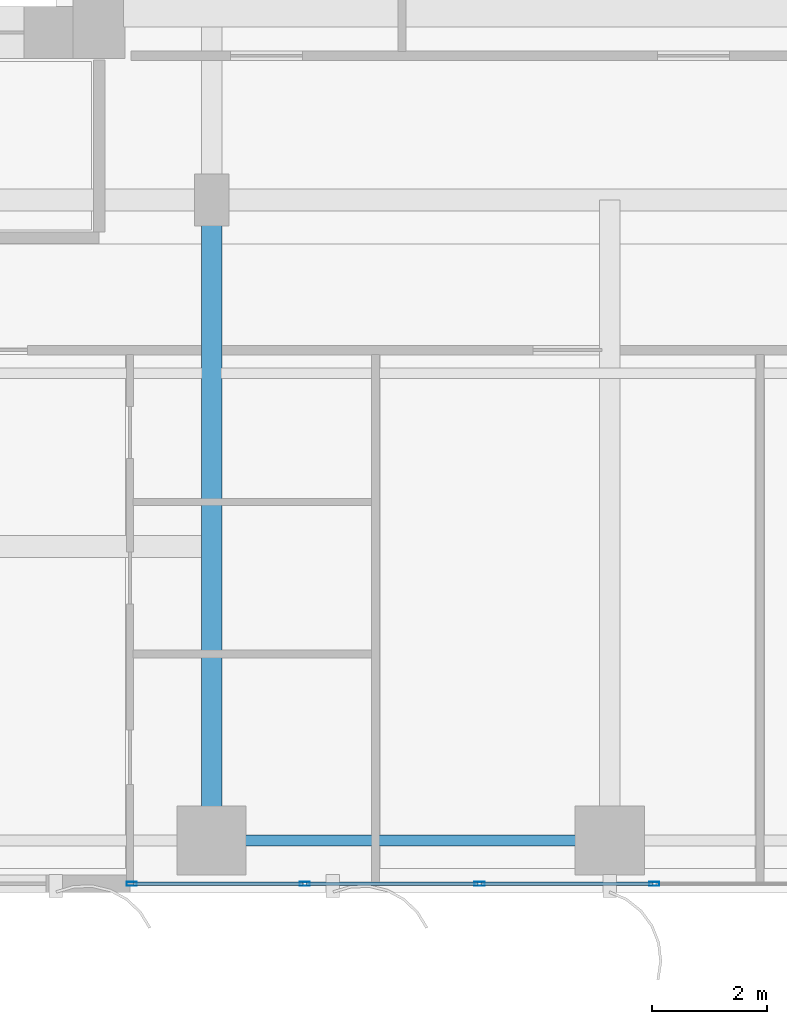
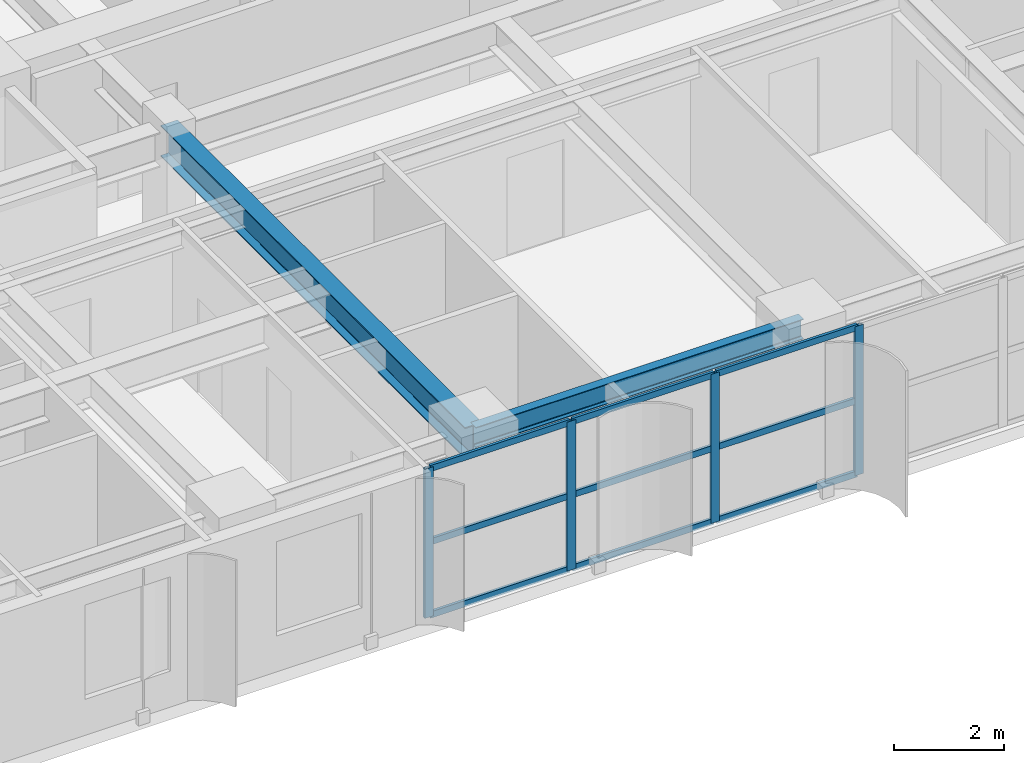
# One storey, part 2 of 24: 13 members, 2 beams, 1 element without a shape of its own.
"""IFC4 building model written with IfcOpenShell, lengths in metres."""

from ifc_helpers import new_model, si_unit, direction, frame, origin, origin_2d, place, context, subcontext, project, spatial, hollow_rectangle, i_section, extrude, source, transform, mapped, material, layer, layer_set, material_profile, profile_set, type_object, element, aggregate, save


model = new_model("IFC4")

# Units and contexts
model_context = context("Model", 3, precision=1e-05, world=origin(), true_north=direction((0.0, 1.0)))
body_context = subcontext(model_context, "Body", "Model", "MODEL_VIEW")
ifc_project = project(units=[si_unit("LENGTHUNIT", "METRE"), si_unit("AREAUNIT", "SQUARE_METRE"), si_unit("VOLUMEUNIT", "CUBIC_METRE"), si_unit("PLANEANGLEUNIT", "RADIAN"), si_unit("MASSUNIT", "GRAM", prefix="KILO")], contexts=[model_context])

# Site, building, storey
site_placement = place(None, origin())
site = spatial("IfcSite", under=ifc_project, at=site_placement, CompositionType="ELEMENT")
building_placement = place(site_placement, origin())
building = spatial("IfcBuilding", under=site, at=building_placement, Name="Khoralis Quay Care Tower", CompositionType="ELEMENT")
storey_placement = place(building_placement, frame((0.0, 0.0, 40.5)))
storey = spatial("IfcBuildingStorey", under=building, at=storey_placement, Name="L10", CompositionType="ELEMENT", Elevation=40.5)

# Beams
ifc_material_1 = material(Name="Steel S355", Category="steel")
ifc_material_profile_1 = material_profile(ifc_material_1, i_section(OverallWidth=0.18994140625, OverallDepth=0.449951171875, WebThickness=0.009521484375, FlangeThickness=0.0146484375, FilletRadius=0.02099609375, at=origin_2d()), Name="Steel S355")
ifc_profile_set_1 = profile_set([ifc_material_profile_1], Name="Steel S355")
beam_type_1 = type_object("IfcBeamType", Name="BM-IPE450", PredefinedType="SPANDREL", material=ifc_profile_set_1)
shared_shape_1 = source(origin(), body_context, "Body", "SweptSolid", [
    extrude(i_section(OverallWidth=0.18994140625, OverallDepth=0.449951171875, WebThickness=0.009521484375, FlangeThickness=0.0146484375, FilletRadius=0.02099609375, at=origin_2d()), origin(), (0.0, 0.0, 1.0), 6.89990234375),
])
beam_1_placement = place(storey_placement, frame((17.10009765625, 0.89990234375, 3.094970703125), z_axis=(1.0, 0.0, 0.0), x_axis=(0.0, 1.0, 0.0)))
element("IfcBeam", 1, at=beam_1_placement, inside=storey, type_object=beam_type_1, Name="BM-TSP-L10-03", PredefinedType="SPANDREL", context=body_context, shape_type="MappedRepresentation", body=[
    mapped(shared_shape_1, transform((0.0, 0.0, 0.0), scale=1.0)),
])
ifc_material_profile_2 = material_profile(ifc_material_1, i_section(OverallWidth=0.35498046875, OverallDepth=0.695068359375, WebThickness=0.015380859375, FlangeThickness=0.02490234375, FilletRadius=0.02001953125, at=origin_2d()), Name="Steel S355")
ifc_profile_set_2 = profile_set([ifc_material_profile_2], Name="Steel S355")
beam_type_2 = type_object("IfcBeamType", Name="BM-W690X217", PredefinedType="BEAM", material=ifc_profile_set_2)
shared_shape_2 = source(origin(), body_context, "Body", "SweptSolid", [
    extrude(i_section(OverallWidth=0.35498046875, OverallDepth=0.695068359375, WebThickness=0.015380859375, FlangeThickness=0.02490234375, FilletRadius=0.02001953125, at=origin_2d()), origin(), (0.0, 0.0, 1.0), 11.10009765625),
])
beam_2_placement = place(storey_placement, frame((17.10009765625, 0.89990234375, 2.972412109375), z_axis=(0.0, 1.0, 0.0), x_axis=(-1.0, 0.0, 0.0)))
element("IfcBeam", 2, at=beam_2_placement, inside=storey, type_object=beam_type_2, Name="BM-TGYS-L10-171", PredefinedType="BEAM", context=body_context, shape_type="MappedRepresentation", body=[
    mapped(shared_shape_2, transform((0.0, 0.0, 0.0), scale=1.0)),
])

# Curtain wall, members
ifc_material_2 = material(Name="Pale anodised aluminium", Category="aluminium")
ifc_layer = layer(ifc_material_2, 0.179931640625)
ifc_layer_set = layer_set([ifc_layer], Name="Pale anodised aluminium")
curtain_wall_type = type_object("IfcCurtainWallType", Name="CW-SYS-Z1", PredefinedType="NOTDEFINED", material=ifc_layer_set)
curtain_wall_placement = place(storey_placement, origin())
curtain_wall = element("IfcCurtainWall", 3, at=curtain_wall_placement, inside=storey, type_object=curtain_wall_type, Name="L10 Unitised Curtain Wall CW-L10-P1-E0", PredefinedType="NOTDEFINED")
ifc_material_profile_3 = material_profile(ifc_material_2, hollow_rectangle(XDim=0.06494140625, YDim=0.179931640625, WallThickness=0.00390625, at=origin_2d()), Name="Pale anodised aluminium")
ifc_profile_set_3 = profile_set([ifc_material_profile_3], Name="Pale anodised aluminium")
member_type_1 = type_object("IfcMemberType", Name="CW-MUL-180", PredefinedType="MULLION", material=ifc_profile_set_3)
shared_shape_3 = source(origin(), body_context, "Body", "SweptSolid", [
    extrude(hollow_rectangle(XDim=0.06494140625, YDim=0.179931640625, WallThickness=0.00390625, at=origin_2d()), origin(), (0.0, 0.0, 1.0), 3.320068359375),
])
member_1_placement = place(storey_placement, frame((15.717041015625, 0.14990234375, 0.0), z_axis=(0.0, 0.0, 1.0), x_axis=(0.0, 1.0, 0.0)))
member_1 = element("IfcMember", 4, at=member_1_placement, type_object=member_type_1, Name="CW1 mullion 1", PredefinedType="MULLION", context=body_context, shape_type="MappedRepresentation", body=[
    mapped(shared_shape_3, transform((0.0, 0.0, 0.0), scale=1.0)),
])
member_2_placement = place(storey_placement, frame((18.715087890625, 0.14990234375, 0.0), z_axis=(0.0, 0.0, 1.0), x_axis=(0.0, 1.0, 0.0)))
member_2 = element("IfcMember", 5, at=member_2_placement, type_object=member_type_1, Name="CW1 mullion 2", PredefinedType="MULLION", context=body_context, shape_type="MappedRepresentation", body=[
    mapped(shared_shape_3, transform((0.0, 0.0, 0.0), scale=1.0)),
])
member_3_placement = place(storey_placement, frame((21.743408203125, 0.14990234375, 0.0), z_axis=(0.0, 0.0, 1.0), x_axis=(0.0, 1.0, 0.0)))
member_3 = element("IfcMember", 6, at=member_3_placement, type_object=member_type_1, Name="CW1 mullion 3", PredefinedType="MULLION", context=body_context, shape_type="MappedRepresentation", body=[
    mapped(shared_shape_3, transform((0.0, 0.0, 0.0), scale=1.0)),
])
member_4_placement = place(storey_placement, frame((24.771484375, 0.14990234375, 0.0), z_axis=(0.0, 0.0, 1.0), x_axis=(0.0, 1.0, 0.0)))
member_4 = element("IfcMember", 7, at=member_4_placement, type_object=member_type_1, Name="CW1 mullion 4", PredefinedType="MULLION", context=body_context, shape_type="MappedRepresentation", body=[
    mapped(shared_shape_3, transform((0.0, 0.0, 0.0), scale=1.0)),
])
ifc_material_profile_4 = material_profile(ifc_material_2, hollow_rectangle(XDim=0.06005859375, YDim=0.139892578125, WallThickness=0.00390625, at=origin_2d()), Name="Pale anodised aluminium")
ifc_profile_set_4 = profile_set([ifc_material_profile_4], Name="Pale anodised aluminium")
member_type_2 = type_object("IfcMemberType", Name="CW-TRN-140", PredefinedType="USERDEFINED", material=ifc_profile_set_4)
shared_shape_4 = source(origin(), body_context, "Body", "SweptSolid", [
    extrude(hollow_rectangle(XDim=0.06005859375, YDim=0.139892578125, WallThickness=0.00390625, at=origin_2d()), origin(), (0.0, 0.0, 1.0), 2.938232421875),
])
member_5_placement = place(storey_placement, frame((15.7470703125, 0.14990234375, 0.030029296875), z_axis=(1.0, 0.0, 0.0), x_axis=(0.0, 1.0, 0.0)))
member_5 = element("IfcMember", 8, at=member_5_placement, type_object=member_type_2, Name="CW1 transom 1.1", ObjectType="TRANSOM", PredefinedType="USERDEFINED", context=body_context, shape_type="MappedRepresentation", body=[
    mapped(shared_shape_4, transform((0.0, 0.0, 0.0), scale=1.0)),
])
member_6_placement = place(storey_placement, frame((15.7470703125, 0.14990234375, 1.659912109375), z_axis=(1.0, 0.0, 0.0), x_axis=(0.0, 1.0, 0.0)))
member_6 = element("IfcMember", 9, at=member_6_placement, type_object=member_type_2, Name="CW1 transom 1.2", ObjectType="TRANSOM", PredefinedType="USERDEFINED", context=body_context, shape_type="MappedRepresentation", body=[
    mapped(shared_shape_4, transform((0.0, 0.0, 0.0), scale=1.0)),
])
member_7_placement = place(storey_placement, frame((15.7470703125, 0.14990234375, 3.2900390625), z_axis=(1.0, 0.0, 0.0), x_axis=(0.0, 1.0, 0.0)))
member_7 = element("IfcMember", 10, at=member_7_placement, type_object=member_type_2, Name="CW1 transom 1.3", ObjectType="TRANSOM", PredefinedType="USERDEFINED", context=body_context, shape_type="MappedRepresentation", body=[
    mapped(shared_shape_4, transform((0.0, 0.0, 0.0), scale=1.0)),
])
shared_shape_5 = source(origin(), body_context, "Body", "SweptSolid", [
    extrude(hollow_rectangle(XDim=0.06005859375, YDim=0.139892578125, WallThickness=0.00390625, at=origin_2d()), origin(), (0.0, 0.0, 1.0), 2.96826171875),
])
member_8_placement = place(storey_placement, frame((18.7451171875, 0.14990234375, 0.030029296875), z_axis=(1.0, 0.0, 0.0), x_axis=(0.0, 1.0, 0.0)))
member_8 = element("IfcMember", 11, at=member_8_placement, type_object=member_type_2, Name="CW1 transom 2.1", ObjectType="TRANSOM", PredefinedType="USERDEFINED", context=body_context, shape_type="MappedRepresentation", body=[
    mapped(shared_shape_5, transform((0.0, 0.0, 0.0), scale=1.0)),
])
member_9_placement = place(storey_placement, frame((18.7451171875, 0.14990234375, 1.659912109375), z_axis=(1.0, 0.0, 0.0), x_axis=(0.0, 1.0, 0.0)))
member_9 = element("IfcMember", 12, at=member_9_placement, type_object=member_type_2, Name="CW1 transom 2.2", ObjectType="TRANSOM", PredefinedType="USERDEFINED", context=body_context, shape_type="MappedRepresentation", body=[
    mapped(shared_shape_5, transform((0.0, 0.0, 0.0), scale=1.0)),
])
member_10_placement = place(storey_placement, frame((18.7451171875, 0.14990234375, 3.2900390625), z_axis=(1.0, 0.0, 0.0), x_axis=(0.0, 1.0, 0.0)))
member_10 = element("IfcMember", 13, at=member_10_placement, type_object=member_type_2, Name="CW1 transom 2.3", ObjectType="TRANSOM", PredefinedType="USERDEFINED", context=body_context, shape_type="MappedRepresentation", body=[
    mapped(shared_shape_5, transform((0.0, 0.0, 0.0), scale=1.0)),
])
member_11_placement = place(storey_placement, frame((21.7734375, 0.14990234375, 0.030029296875), z_axis=(1.0, 0.0, 0.0), x_axis=(0.0, 1.0, 0.0)))
member_11 = element("IfcMember", 14, at=member_11_placement, type_object=member_type_2, Name="CW1 transom 3.1", ObjectType="TRANSOM", PredefinedType="USERDEFINED", context=body_context, shape_type="MappedRepresentation", body=[
    mapped(shared_shape_5, transform((0.0, 0.0, 0.0), scale=1.0)),
])
member_12_placement = place(storey_placement, frame((21.7734375, 0.14990234375, 1.659912109375), z_axis=(1.0, 0.0, 0.0), x_axis=(0.0, 1.0, 0.0)))
member_12 = element("IfcMember", 15, at=member_12_placement, type_object=member_type_2, Name="CW1 transom 3.2", ObjectType="TRANSOM", PredefinedType="USERDEFINED", context=body_context, shape_type="MappedRepresentation", body=[
    mapped(shared_shape_5, transform((0.0, 0.0, 0.0), scale=1.0)),
])
member_13_placement = place(storey_placement, frame((21.7734375, 0.14990234375, 3.2900390625), z_axis=(1.0, 0.0, 0.0), x_axis=(0.0, 1.0, 0.0)))
member_13 = element("IfcMember", 16, at=member_13_placement, type_object=member_type_2, Name="CW1 transom 3.3", ObjectType="TRANSOM", PredefinedType="USERDEFINED", context=body_context, shape_type="MappedRepresentation", body=[
    mapped(shared_shape_5, transform((0.0, 0.0, 0.0), scale=1.0)),
])
aggregate(curtain_wall, [member_1, member_2, member_3, member_4, member_5, member_6, member_7, member_8, member_9, member_10, member_11, member_12, member_13])

save(model, "model.ifc")
